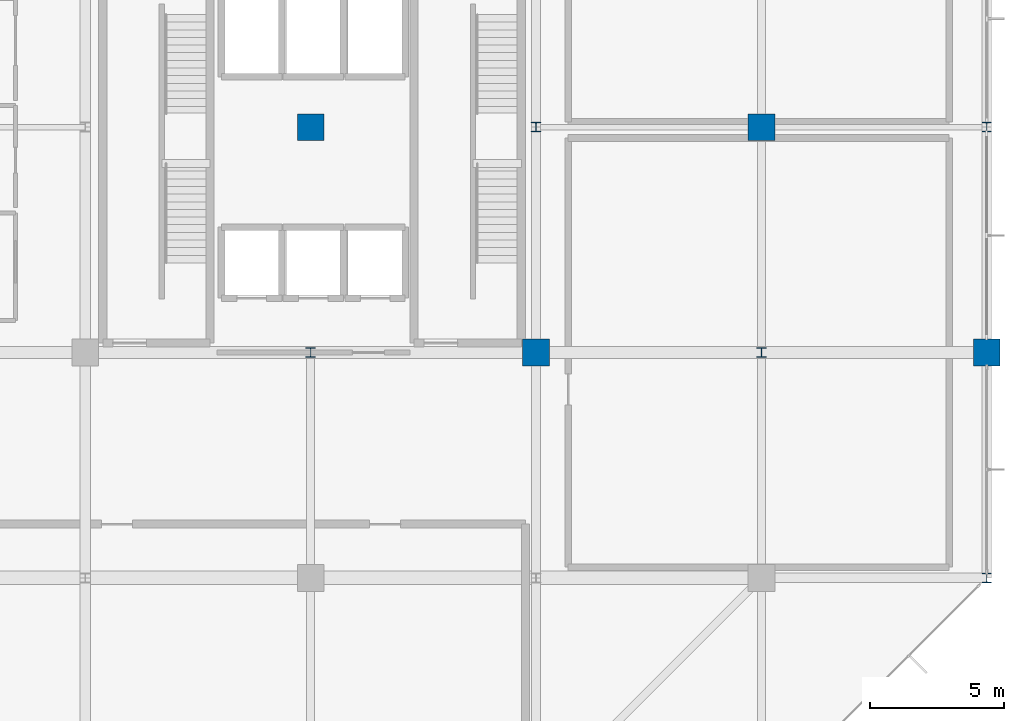
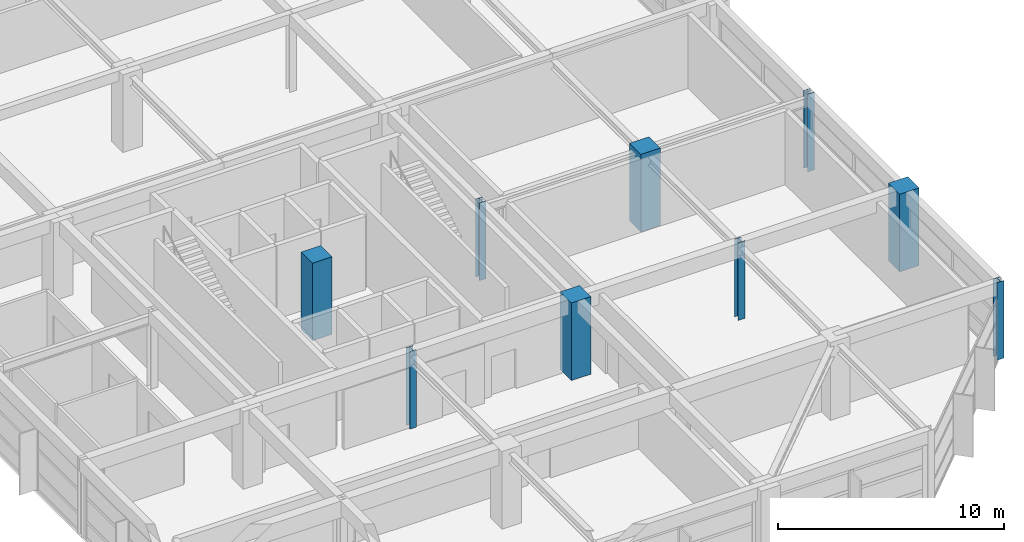
# One storey, part 3 of 32: 9 columns.
"""IFC4 building model written with IfcOpenShell, lengths in metres."""

import ifcopenshell
import ifcopenshell.guid

model = None  # the IFC model being written
_history = None  # IfcOwnerHistory: only IFC2X3 demands one
_inside = {}  # id of a spatial element -> (the spatial element, [elements in it])
_under = {}  # id of a project, library or spatial element -> (it, [spatial elements below it])
_declared = {}  # id of a project -> (the project, [libraries it declares])
_typed = {}  # id of a type object -> (the type object, [elements of that type])
_made_of = {}  # id of a material, layer set ... -> (it, [elements and type objects made of it])


def new_model(schema):
    """Start an empty IFC model of exactly this schema.

    Asked for "IFC4X3", IfcOpenShell would pick the latest addendum, in which some entities
    have other attributes; the version numbers below select the first issue.
    IFC2X3 requires an IfcOwnerHistory on every rooted entity: one is made here for all.
    """
    global model, _history
    if schema == "IFC4X3":
        model = ifcopenshell.file(schema_version=(4, 3, 0, 0))
    else:
        model = ifcopenshell.file(schema=schema)
    _inside.clear()
    _under.clear()
    _declared.clear()
    _typed.clear()
    _made_of.clear()
    _history = None
    if model.schema == "IFC2X3":
        org = make("IfcOrganization", Name="unknown")
        user = make(
            "IfcPersonAndOrganization",
            ThePerson=make("IfcPerson", FamilyName="unknown"),
            TheOrganization=org,
        )
        app = make(
            "IfcApplication",
            ApplicationDeveloper=org,
            Version="unknown",
            ApplicationFullName="unknown",
            ApplicationIdentifier="unknown",
        )
        _history = make(
            "IfcOwnerHistory",
            OwningUser=user,
            OwningApplication=app,
            ChangeAction="ADDED",
            CreationDate=0,
        )
    return model


def make(cls, **values):
    """One entity of the class cls with the attributes given. An attribute that is None is left unset."""
    return model.create_entity(
        cls, **{name: value for name, value in values.items() if value is not None}
    )


def rooted(cls, **values):
    """An entity with a GlobalId (a new one), such as an element, a storey or a relation."""
    return make(cls, GlobalId=ifcopenshell.guid.new(), OwnerHistory=_history, **values)


def si_unit(unit_type, name, prefix=None):
    """IfcSIUnit, for example si_unit("LENGTHUNIT", "METRE", prefix="MILLI")."""
    return make("IfcSIUnit", UnitType=unit_type, Prefix=prefix, Name=name)


def assignment(units):
    """IfcUnitAssignment: the units of a project."""
    return None if units is None else make("IfcUnitAssignment", Units=units)


def point(xyz):
    """IfcCartesianPoint."""
    return None if xyz is None else make("IfcCartesianPoint", Coordinates=xyz)


def direction(xyz):
    """IfcDirection."""
    return None if xyz is None else make("IfcDirection", DirectionRatios=xyz)


def frame(location, z_axis=None, x_axis=None):
    """IfcAxis2Placement3D, a coordinate frame: its origin and axes. An axis left out is left unset."""
    return make(
        "IfcAxis2Placement3D",
        Location=point(location),
        Axis=direction(z_axis),
        RefDirection=direction(x_axis),
    )


def frame_2d(location, x_axis=None):
    """IfcAxis2Placement2D, a coordinate frame in the plane: its origin and x axis."""
    return make(
        "IfcAxis2Placement2D", Location=point(location), RefDirection=direction(x_axis)
    )


def origin():
    """The frame at (0, 0, 0) with its axes left unset."""
    return frame((0.0, 0.0, 0.0))


def origin_2d():
    """The frame at (0, 0) in the plane with its x axis left unset."""
    return frame_2d((0.0, 0.0))


def place(relative_to, where):
    """IfcLocalPlacement: puts the frame where relative to a parent placement (None: the world)."""
    return make(
        "IfcLocalPlacement", PlacementRelTo=relative_to, RelativePlacement=where
    )


def context(
    kind, dimensions, precision=None, world=None, true_north=None, identifier=None
):
    """IfcGeometricRepresentationContext, for example the 3D "Model" context."""
    return make(
        "IfcGeometricRepresentationContext",
        ContextIdentifier=identifier,
        ContextType=kind,
        CoordinateSpaceDimension=dimensions,
        Precision=precision,
        WorldCoordinateSystem=world,
        TrueNorth=true_north,
    )


def subcontext(parent, identifier, kind, view, scale=None):
    """IfcGeometricRepresentationSubContext, for example "Body" below "Model"."""
    return make(
        "IfcGeometricRepresentationSubContext",
        ContextIdentifier=identifier,
        ContextType=kind,
        ParentContext=parent,
        TargetScale=scale,
        TargetView=view,
    )


def project(units=None, contexts=None):
    """IfcProject with its units and contexts."""
    return rooted(
        "IfcProject",
        Name="project",
        RepresentationContexts=contexts,
        UnitsInContext=assignment(units),
    )


def spatial(cls, under=None, at=None, **own):
    """A site, building, storey or space (cls), placed at a placement, below another one or the project."""
    s = rooted(cls, ObjectPlacement=at, **own)
    if under is not None:
        _under.setdefault(under.id(), (under, []))[1].append(s)
    return s


def profile(cls, at=None, kind="AREA", **sizes):
    """A parametric profile (cls). Its sizes go by their IFC names, for example OverallWidth=200.0."""
    return make(cls, ProfileType=kind, Position=at, **sizes)


def rectangle(**sizes):
    """IfcRectangleProfileDef."""
    return profile("IfcRectangleProfileDef", **sizes)


def i_section(**sizes):
    """IfcIShapeProfileDef."""
    return profile("IfcIShapeProfileDef", **sizes)


def extrude(swept, where, along, depth):
    """IfcExtrudedAreaSolid: the profile swept, set in the frame where, extruded along a direction by depth."""
    return make(
        "IfcExtrudedAreaSolid",
        SweptArea=swept,
        Position=where,
        ExtrudedDirection=direction(along),
        Depth=depth,
    )


def shape(context_of_items, identifier, shape_type, items):
    """IfcShapeRepresentation: the items that make up one representation, for example the "Body"."""
    return make(
        "IfcShapeRepresentation",
        ContextOfItems=context_of_items,
        RepresentationIdentifier=identifier,
        RepresentationType=shape_type,
        Items=items,
    )


def material(Name=None, Category=None):
    """IfcMaterial."""
    return make("IfcMaterial", Name=Name, Category=Category)


def material_profile(
    of_material, cross_section, Name=None, Category=None, Priority=None
):
    """IfcMaterialProfile: a cross section and its material."""
    return make(
        "IfcMaterialProfile",
        Name=Name,
        Material=of_material,
        Profile=cross_section,
        Priority=Priority,
        Category=Category,
    )


def profile_set(profiles, Name=None, composite=None):
    """IfcMaterialProfileSet."""
    return make(
        "IfcMaterialProfileSet",
        Name=Name,
        MaterialProfiles=profiles,
        CompositeProfile=composite,
    )


def made_of(thing, what):
    """Note that an element or type object is made of a material, layer set ...; save() writes the relation."""
    if what is not None:
        _made_of.setdefault(what.id(), (what, []))[1].append(thing)
    return thing


def type_object(cls, material=None, **own):
    """A type object (cls), such as IfcWallType, which elements share."""
    return made_of(rooted(cls, **own), material)


def element(
    cls,
    number,
    at=None,
    inside=None,
    cuts=None,
    type_object=None,
    material=None,
    context=None,
    identifier="Body",
    shape_type=None,
    held_by="IfcProductDefinitionShape",
    body=None,
    shapes=None,
    **own,
):
    """One element of the class cls, such as IfcWall. Its Tag is "e" and its number.

    at: its placement. inside: the storey or other place that contains it. cuts: it is an
    opening in that element (IfcRelVoidsElement). A single representation is given by context,
    identifier, shape_type and body (its items); several are given by shapes. held_by: the class
    of the entity that holds the representations. save() writes the other relations.
    """
    e = rooted(cls, Tag="e%d" % number, ObjectPlacement=at, **own)
    if body is not None:
        shapes = [shape(context, identifier, shape_type, body)]
    if shapes is not None:
        e.Representation = make(held_by, Representations=shapes)
    if inside is not None:
        _inside.setdefault(inside.id(), (inside, []))[1].append(e)
    if cuts is not None:
        rooted(
            "IfcRelVoidsElement", RelatingBuildingElement=cuts, RelatedOpeningElement=e
        )
    if type_object is not None:
        _typed.setdefault(type_object.id(), (type_object, []))[1].append(e)
    return made_of(e, material)


def aggregate(whole, parts):
    """IfcRelAggregates: a whole, such as a stair, and the parts it consists of."""
    return rooted("IfcRelAggregates", RelatingObject=whole, RelatedObjects=parts)


def save(model, path):
    """Write the relations noted so far, then the file.

    IfcRelAggregates (storeys below a building ...), IfcRelContainedInSpatialStructure (elements
    in a storey), IfcRelDefinesByType, IfcRelAssociatesMaterial and IfcRelDeclares: one each for
    every whole, place, type object, material and project.
    """
    for whole, parts in _under.values():
        aggregate(whole, parts)
    for where, things in _inside.values():
        rooted(
            "IfcRelContainedInSpatialStructure",
            RelatedElements=things,
            RelatingStructure=where,
        )
    for kind, things in _typed.values():
        rooted("IfcRelDefinesByType", RelatedObjects=things, RelatingType=kind)
    for what, things in _made_of.values():
        rooted("IfcRelAssociatesMaterial", RelatedObjects=things, RelatingMaterial=what)
    for by, libraries in _declared.values():
        rooted("IfcRelDeclares", RelatingContext=by, RelatedDefinitions=libraries)
    model.write(path)


model = new_model("IFC4")

# Units and contexts
model_context = context("Model", 3, precision=1e-05, world=origin(), true_north=direction((0.0, 1.0)))
body_context = subcontext(model_context, "Body", "Model", "MODEL_VIEW")
ifc_project = project(units=[si_unit("LENGTHUNIT", "METRE"), si_unit("AREAUNIT", "SQUARE_METRE"), si_unit("VOLUMEUNIT", "CUBIC_METRE"), si_unit("PLANEANGLEUNIT", "RADIAN"), si_unit("MASSUNIT", "GRAM", prefix="KILO")], contexts=[model_context])

# Site, building, storey
site_placement = place(None, origin())
site = spatial("IfcSite", under=ifc_project, at=site_placement, CompositionType="ELEMENT")
building_placement = place(site_placement, origin())
building = spatial("IfcBuilding", under=site, at=building_placement, Name="Xuanlan Plaza Opera House", CompositionType="ELEMENT")
storey_placement = place(building_placement, frame((0.0, 0.0, 40.5)))
storey = spatial("IfcBuildingStorey", under=building, at=storey_placement, Name="L09", CompositionType="ELEMENT", Elevation=40.5)

# Columns
ifc_material_1 = material(Name="Concrete C50", Category="concrete")
ifc_material_profile_1 = material_profile(ifc_material_1, rectangle(XDim=1.0, YDim=1.0, at=origin_2d()), Name="RC-COL 1000x1000")
ifc_profile_set_1 = profile_set([ifc_material_profile_1], Name="Concrete C50")
column_type_1 = type_object("IfcColumnType", Name="STR-COL-C-04", PredefinedType="COLUMN", material=ifc_profile_set_1)
for number, where, z_axis, x_axis, name in (
    (1, (142.800048828125, 58.800048828125, 0.0), (0.0, 0.0, 1.0), (1.0, 0.0, 0.0), "Column L09 18-H"),
    (2, (151.199951171875, 50.39990234375, 0.0), (0.0, 0.0, 1.0), (1.0, 0.0, 0.0), "Column L09 19-G"),
    (3, (159.60009765625, 58.800048828125, 0.0), (0.0, 0.0, 1.0), (1.0, 0.0, 0.0), "Column L09 20-H"),
    (4, (168.0, 50.39990234375, 0.0), (0.0, 0.0, 1.0), (1.0, 0.0, 0.0), "Column L09 21-G"),
):
    element("IfcColumn", number, at=place(storey_placement, frame(where, z_axis=z_axis, x_axis=x_axis)), inside=storey, type_object=column_type_1, Name=name, PredefinedType="COLUMN", context=body_context, shape_type="SweptSolid", body=[
        extrude(rectangle(XDim=1.0, YDim=1.0, at=origin_2d()), origin(), (0.0, 0.0, 1.0), 4.199951171875),
    ])
ifc_material_2 = material(Name="Steel Q355B", Category="steel")
ifc_material_profile_2 = material_profile(ifc_material_2, i_section(OverallWidth=0.35009765625, OverallDepth=0.35009765625, WebThickness=0.011962890625, FlangeThickness=0.01904296875, FilletRadius=0.02001953125, at=origin_2d()), Name="HW 350x350x12x19")
ifc_profile_set_2 = profile_set([ifc_material_profile_2], Name="Steel Q355B")
column_type_2 = type_object("IfcColumnType", Name="STR-COL-C-15", PredefinedType="COLUMN", material=ifc_profile_set_2)
for number, where, z_axis, x_axis, name in (
    (5, (142.800048828125, 50.39990234375, 0.0), (0.0, 0.0, 1.0), (1.0, 0.0, 0.0), "Column L09 18-G"),
    (6, (151.199951171875, 58.800048828125, 0.0), (0.0, 0.0, 1.0), (1.0, 0.0, 0.0), "Column L09 19-H"),
    (7, (159.60009765625, 50.39990234375, 0.0), (0.0, 0.0, 1.0), (1.0, 0.0, 0.0), "Column L09 20-G"),
    (8, (168.0, 42.0, 0.0), (0.0, 0.0, 1.0), (1.0, 0.0, 0.0), "Column L09 21-F"),
    (9, (168.0, 58.800048828125, 0.0), (0.0, 0.0, 1.0), (1.0, 0.0, 0.0), "Column L09 21-H"),
):
    element("IfcColumn", number, at=place(storey_placement, frame(where, z_axis=z_axis, x_axis=x_axis)), inside=storey, type_object=column_type_2, Name=name, PredefinedType="COLUMN", context=body_context, shape_type="SweptSolid", body=[
        extrude(i_section(OverallWidth=0.35009765625, OverallDepth=0.35009765625, WebThickness=0.011962890625, FlangeThickness=0.01904296875, FilletRadius=0.02001953125, at=origin_2d()), origin(), (0.0, 0.0, 1.0), 4.199951171875),
    ])

save(model, "model.ifc")
